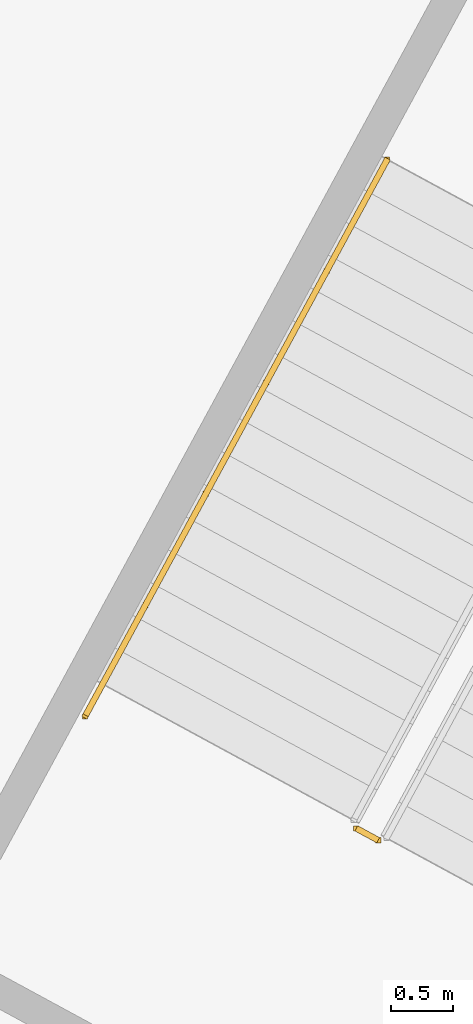
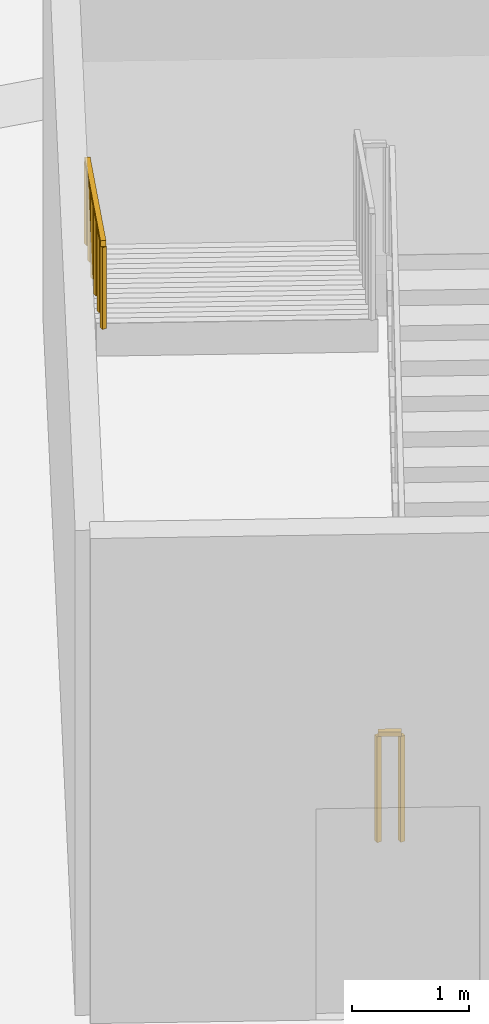
# One storey, part 63 of 74: 2 railings.
"""IFC4 building model written with IfcOpenShell, lengths in metres."""

from ifc_helpers import new_model, si_unit, direction, frame, origin, origin_2d, place, context, subcontext, project, spatial, rectangle, extrude, material, type_object, element, save


model = new_model("IFC4")

# Units and contexts
model_context = context("Model", 3, precision=1e-05, world=origin(), true_north=direction((0.0, 1.0)))
body_context = subcontext(model_context, "Body", "Model", "MODEL_VIEW")
ifc_project = project(units=[si_unit("LENGTHUNIT", "METRE"), si_unit("AREAUNIT", "SQUARE_METRE"), si_unit("VOLUMEUNIT", "CUBIC_METRE"), si_unit("PLANEANGLEUNIT", "RADIAN"), si_unit("MASSUNIT", "GRAM", prefix="KILO")], contexts=[model_context])

# Site, building, storey
site_placement = place(None, origin())
site = spatial("IfcSite", under=ifc_project, at=site_placement, CompositionType="ELEMENT")
building_placement = place(site_placement, origin())
building = spatial("IfcBuilding", under=site, at=building_placement, Name="Zlatoyarsky Gate Stadium", CompositionType="ELEMENT")
storey_placement = place(building_placement, frame((0.0, 0.0, -5.39990234375)))
storey = spatial("IfcBuildingStorey", under=building, at=storey_placement, Name="B1", CompositionType="ELEMENT", Elevation=-5.39990234375)

# Railings
ifc_material_1 = material(Name="Powder-coated steel stair guardrail", Category="steel")
railing_type_1 = type_object("IfcRailingType", Name="PAINTED STEEL STAIR WELL GUARDRAIL 1150", PredefinedType="GUARDRAIL", material=ifc_material_1)
railing_1_placement = place(storey_placement, frame((190.36962890625, 52.15478515625, 0.0)))
element("IfcRailing", 1, at=railing_1_placement, inside=storey, type_object=railing_type_1, Name="ST-12 B1 stair guard 4", PredefinedType="GUARDRAIL", context=body_context, shape_type="SweptSolid", body=[
    extrude(rectangle(XDim=0.048095703125, YDim=0.048095703125, at=origin_2d()), frame((0.0, 0.0, 1.1259765625), z_axis=(-0.878780312785, 0.477226530971, 0.0), x_axis=(-0.477226530971, -0.878780312785, 0.0)), (0.0, 0.0, 1.0), 0.199951171875),
    extrude(rectangle(XDim=0.0419921875, YDim=0.0419921875, at=origin_2d()), origin(), (0.0, 0.0, 1.0), 1.101806640625),
    extrude(rectangle(XDim=0.0419921875, YDim=0.0419921875, at=origin_2d()), frame((-0.17578125, 0.095458984375, 0.0)), (0.0, 0.0, 1.0), 1.101806640625),
])
ifc_material_2 = material(Name="Brushed stainless steel 316 handrail", Category="steel")
railing_type_2 = type_object("IfcRailingType", Name="STAINLESS STEEL TUBULAR HANDRAIL 900", PredefinedType="HANDRAIL", material=ifc_material_2)
railing_2_placement = place(storey_placement, frame((190.441162109375, 57.6337890625, 2.86279296875)))
element("IfcRailing", 2, at=railing_2_placement, inside=storey, type_object=railing_type_2, Name="ST-12 B1 stair handrail 2", PredefinedType="HANDRAIL", context=body_context, shape_type="SweptSolid", body=[
    extrude(rectangle(XDim=0.048095703125, YDim=0.048095703125, at=origin_2d()), frame((0.0, 0.0, 0.8759765625), z_axis=(-0.421472414376, -0.776817406179, 0.467884303411), x_axis=(0.878961798155, -0.476892186331, 0.0)), (0.0, 0.0, 1.0), 5.7705078125),
    extrude(rectangle(XDim=0.0419921875, YDim=0.0419921875, at=origin_2d()), origin(), (0.0, 0.0, 1.0), 0.851806640625),
    extrude(rectangle(XDim=0.0419921875, YDim=0.0419921875, at=origin_2d()), frame((-0.486328125, -0.896484375, 0.5400390625)), (0.0, 0.0, 1.0), 0.851806640625),
    extrude(rectangle(XDim=0.0419921875, YDim=0.0419921875, at=origin_2d()), frame((-0.972900390625, -1.79296875, 1.080078125)), (0.0, 0.0, 1.0), 0.851806640625),
    extrude(rectangle(XDim=0.0419921875, YDim=0.0419921875, at=origin_2d()), frame((-1.459228515625, -2.689697265625, 1.619873046875)), (0.0, 0.0, 1.0), 0.851806640625),
    extrude(rectangle(XDim=0.0419921875, YDim=0.0419921875, at=origin_2d()), frame((-1.94580078125, -3.586181640625, 2.159912109375)), (0.0, 0.0, 1.0), 0.851806640625),
    extrude(rectangle(XDim=0.0419921875, YDim=0.0419921875, at=origin_2d()), frame((-2.43212890625, -4.482666015625, 2.699951171875)), (0.0, 0.0, 1.0), 0.851806640625),
])

save(model, "model.ifc")
